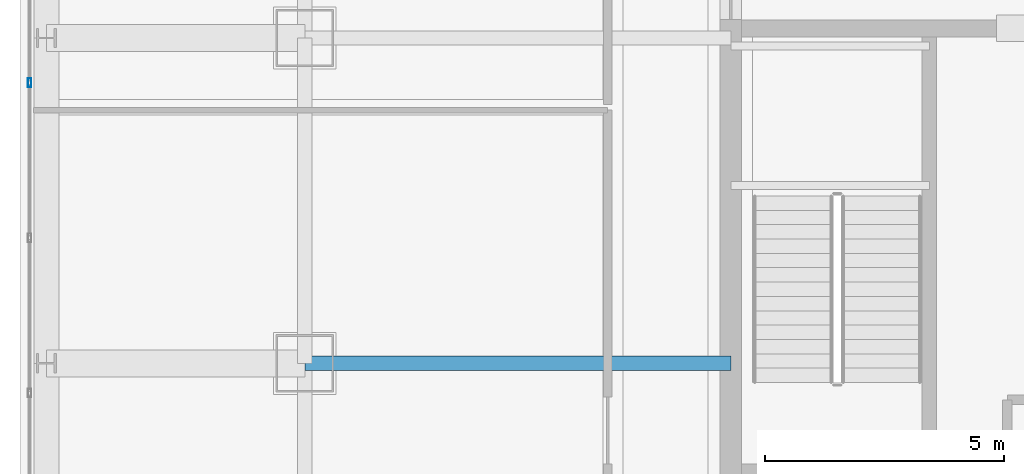
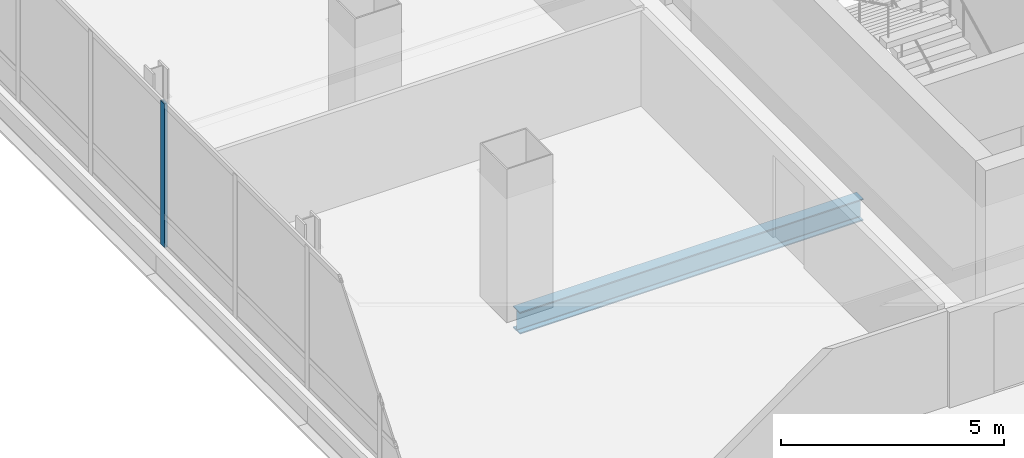
# One storey, part 13 of 46: 1 beam, 1 member, 1 element without a shape of its own.
"""IFC4 building model written with IfcOpenShell, lengths in metres."""

from ifc_helpers import new_model, si_unit, direction, frame, origin, origin_2d, place, context, subcontext, project, spatial, hollow_rectangle, i_section, extrude, material, material_profile, profile_set, type_object, element, aggregate, save


model = new_model("IFC4")

# Units and contexts
model_context = context("Model", 3, precision=1e-05, world=origin(), true_north=direction((0.0, 1.0)))
body_context = subcontext(model_context, "Body", "Model", "MODEL_VIEW")
ifc_project = project(units=[si_unit("LENGTHUNIT", "METRE"), si_unit("AREAUNIT", "SQUARE_METRE"), si_unit("VOLUMEUNIT", "CUBIC_METRE"), si_unit("PLANEANGLEUNIT", "RADIAN"), si_unit("MASSUNIT", "GRAM", prefix="KILO")], contexts=[model_context])

# Site, building, storey
site_placement = place(None, origin())
site = spatial("IfcSite", under=ifc_project, at=site_placement, CompositionType="ELEMENT")
building_placement = place(site_placement, origin())
building = spatial("IfcBuilding", under=site, at=building_placement, Name="Punatoya Terracotta Tower", CompositionType="ELEMENT")
storey_placement = place(building_placement, frame((0.0, 0.0, 330.0)))
storey = spatial("IfcBuildingStorey", under=building, at=storey_placement, Name="L78", CompositionType="ELEMENT", Elevation=330.0)

# Beam
ifc_material_1 = material(Name="Steel S355", Category="steel")
ifc_material_profile_1 = material_profile(ifc_material_1, i_section(OverallWidth=0.300048828125, OverallDepth=0.60009765625, WebThickness=0.015380859375, FlangeThickness=0.030029296875, FilletRadius=0.01806640625, at=origin_2d()))
ifc_profile_set_1 = profile_set([ifc_material_profile_1], Name="Steel S355")
beam_type = type_object("IfcBeamType", Name="BM-PRI-600", PredefinedType="BEAM", material=ifc_profile_set_1)
beam_placement = place(storey_placement, frame((-19.10009765625, -3.39990234375, -0.5), z_axis=(1.0, 0.0, 0.0), x_axis=(0.0, 1.0, 0.0)))
element("IfcBeam", 1, at=beam_placement, inside=storey, type_object=beam_type, Name="BM-L78-PR-WD", PredefinedType="BEAM", context=body_context, shape_type="SweptSolid", body=[
    extrude(i_section(OverallWidth=0.300048828125, OverallDepth=0.60009765625, WebThickness=0.015380859375, FlangeThickness=0.030029296875, FilletRadius=0.01806640625, at=origin_2d()), origin(), (0.0, 0.0, 1.0), 8.900146484375),
])

# Curtain wall, member
ifc_material_2 = material(Name="Aluminium 6063-T6 + Double Low-E Glass", Category="aluminium")
curtain_wall_type = type_object("IfcCurtainWallType", Name="CW-OBS", PredefinedType="NOTDEFINED", material=ifc_material_2)
curtain_wall_placement = place(storey_placement, origin())
curtain_wall = element("IfcCurtainWall", 2, at=curtain_wall_placement, inside=storey, type_object=curtain_wall_type, Name="L78 Curtain Wall CW-L78-W13-1", PredefinedType="NOTDEFINED")
ifc_material_3 = material(Name="Aluminium 6063-T6", Category="aluminium")
ifc_material_profile_2 = material_profile(ifc_material_3, hollow_rectangle(XDim=0.070068359375, YDim=0.179931640625, WallThickness=0.00390625, at=origin_2d()))
ifc_profile_set_2 = profile_set([ifc_material_profile_2], Name="Aluminium 6063-T6")
member_type = type_object("IfcMemberType", Name="CW-MUL-M3", PredefinedType="MULLION", material=ifc_profile_set_2)
member_placement = place(storey_placement, frame((-24.85009765625, 2.464599609375, 0.0), z_axis=(0.0, 0.0, 1.0), x_axis=(1.0, 0.0, 0.0)))
member = element("IfcMember", 3, at=member_placement, type_object=member_type, Name="CW-L78-W13-1 Mullion 04", PredefinedType="MULLION", context=body_context, shape_type="SweptSolid", body=[
    extrude(hollow_rectangle(XDim=0.070068359375, YDim=0.179931640625, WallThickness=0.00390625, at=origin_2d()), origin(), (0.0, 0.0, 1.0), 3.93994140625),
])
aggregate(curtain_wall, [member])

save(model, "model.ifc")
